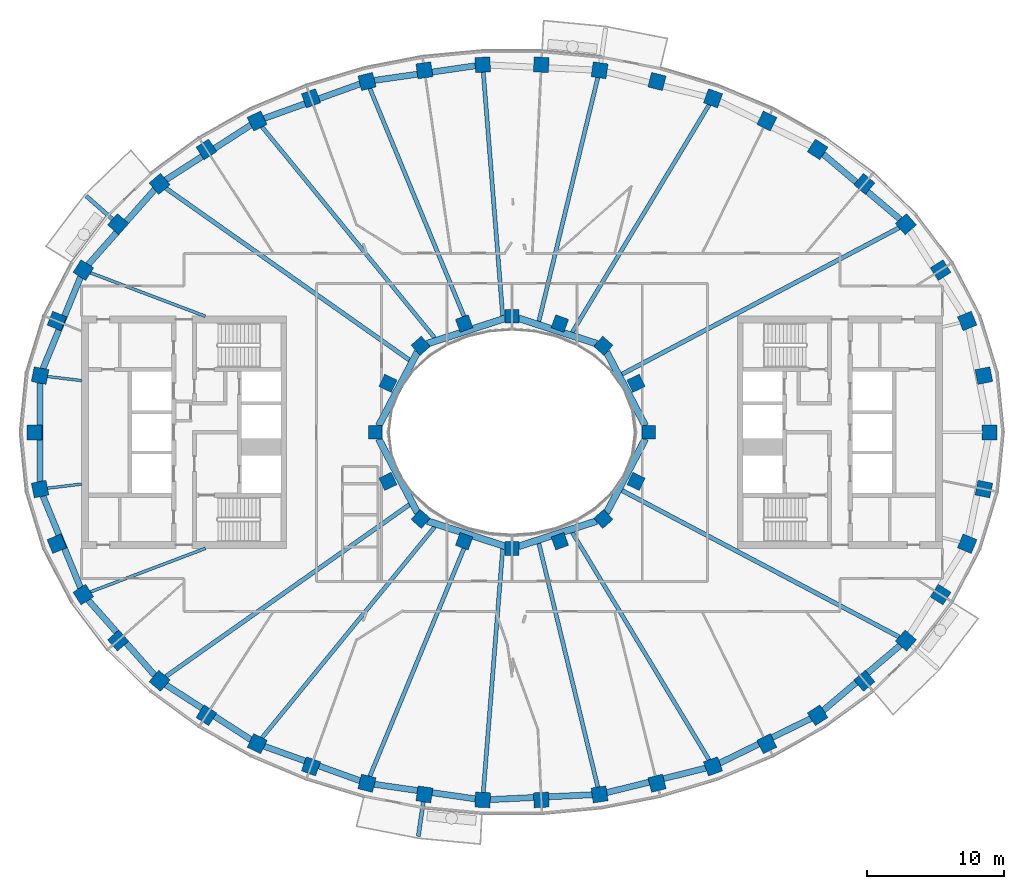
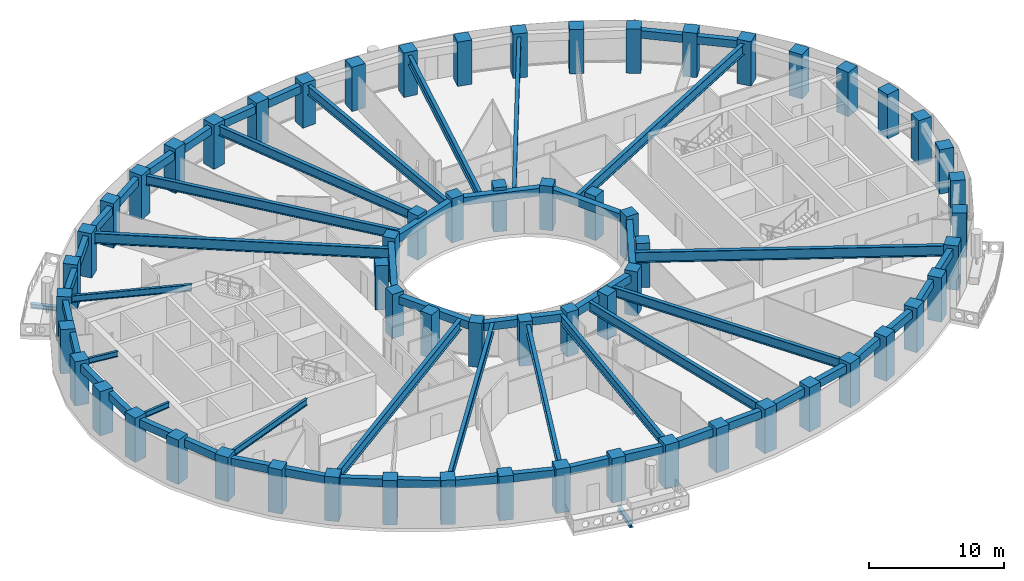
# One storey, part 1 of 16: 62 columns, 44 beams.
"""IFC4 building model written with IfcOpenShell, lengths in metres."""

from ifc_helpers import new_model, si_unit, direction, frame, origin, origin_2d, place, context, subcontext, project, spatial, rectangle, i_section, extrude, material, material_profile, profile_set, type_object, element, save


model = new_model("IFC4")

# Units and contexts
model_context = context("Model", 3, precision=1e-05, world=origin(), true_north=direction((0.0, 1.0)))
body_context = subcontext(model_context, "Body", "Model", "MODEL_VIEW")
ifc_project = project(units=[si_unit("LENGTHUNIT", "METRE"), si_unit("AREAUNIT", "SQUARE_METRE"), si_unit("VOLUMEUNIT", "CUBIC_METRE"), si_unit("PLANEANGLEUNIT", "RADIAN"), si_unit("MASSUNIT", "GRAM", prefix="KILO")], contexts=[model_context])

# Site, building, storey
site_placement = place(None, origin())
site = spatial("IfcSite", under=ifc_project, at=site_placement, CompositionType="ELEMENT")
building_placement = place(site_placement, origin())
building = spatial("IfcBuilding", under=site, at=building_placement, Name="Noorbagh Ring Tower", CompositionType="ELEMENT")
storey_placement = place(building_placement, frame((0.0, 0.0, 237.5)))
storey = spatial("IfcBuildingStorey", under=building, at=storey_placement, Name="L49", CompositionType="ELEMENT", Elevation=237.5)

# Columns
ifc_material_1 = material(Name="Concrete C60/75", Category="concrete")
ifc_material_profile_1 = material_profile(ifc_material_1, rectangle(XDim=1.10009765625, YDim=1.10009765625, at=origin_2d()), Name="RC1100x1100")
ifc_profile_set_1 = profile_set([ifc_material_profile_1], Name="Concrete C60/75")
column_type_1 = type_object("IfcColumnType", Name="STR-COL-RC1100x1100-C60-75", PredefinedType="COLUMN", material=ifc_profile_set_1)
for number, where, z_axis, x_axis, name in (
    (1, (34.944580078125, 0.0, 0.0), (0.0, 0.0, 1.0), (0.0, 1.0, 0.0), "L49/col/R1-01"),
    (2, (34.52685546875, 4.150634765625, 0.0), (0.0, 0.0, 1.0), (-0.19723040178, 0.9803571638, 0.0), "L49/col/R1-02"),
    (3, (33.30517578125, 8.1494140625, 0.0), (0.0, 0.0, 1.0), (-0.378989499959, 0.925400971969, 0.0), "L49/col/R1-03"),
    (4, (31.364990234375, 11.87109375, 0.0), (0.0, 0.0, 1.0), (-0.535190403059, 0.844731455833, 0.0), "L49/col/R1-04"),
    (5, (28.81884765625, 15.23046875, 0.0), (0.0, 0.0, 1.0), (-0.662635642662, 0.748941923699, 0.0), "L49/col/R1-05"),
    (6, (25.78271484375, 18.180419921875, 0.0), (0.0, 0.0, 1.0), (-0.763035199656, 0.646356932419, 0.0), "L49/col/R1-06"),
    (7, (22.362060546875, 20.699951171875, 0.0), (0.0, 0.0, 1.0), (-0.840247639643, 0.542202825586, 0.0), "L49/col/R1-07"),
    (8, (18.646240234375, 22.785400390625, 0.0), (0.0, 0.0, 1.0), (-0.898399080868, 0.439180021741, 0.0), "L49/col/R1-08"),
    (9, (14.70947265625, 24.44091796875, 0.0), (0.0, 0.0, 1.0), (-0.941024726094, 0.338337797003, 0.0), "L49/col/R1-09"),
    (10, (10.61328125, 25.673583984375, 0.0), (0.0, 0.0, 1.0), (-0.970829360981, 0.239771457553, 0.0), "L49/col/R1-10"),
    (11, (6.4091796875, 26.49072265625, 0.0), (0.0, 0.0, 1.0), (-0.989713114048, 0.143066249975, 0.0), "L49/col/R1-11"),
    (12, (2.14306640625, 26.89794921875, 0.0), (0.0, 0.0, 1.0), (-0.998868731212, 0.047552684538, 0.0), "L49/col/R1-12"),
    (13, (-2.14306640625, 26.89794921875, 0.0), (0.0, 0.0, 1.0), (-0.998868731212, -0.047552684538, 0.0), "L49/col/R1-13"),
    (14, (-6.4091796875, 26.49072265625, 0.0), (0.0, 0.0, 1.0), (-0.989713114048, -0.143066249975, 0.0), "L49/col/R1-14"),
    (15, (-10.61328125, 25.673583984375, 0.0), (0.0, 0.0, 1.0), (-0.970829360981, -0.239771457553, 0.0), "L49/col/R1-15"),
    (16, (-14.70947265625, 24.44091796875, 0.0), (0.0, 0.0, 1.0), (-0.941024726094, -0.338337797003, 0.0), "L49/col/R1-16"),
    (17, (-18.646240234375, 22.785400390625, 0.0), (0.0, 0.0, 1.0), (-0.898399080868, -0.439180021741, 0.0), "L49/col/R1-17"),
    (18, (-22.362060546875, 20.699951171875, 0.0), (0.0, 0.0, 1.0), (-0.840247639643, -0.542202825586, 0.0), "L49/col/R1-18"),
    (19, (-25.78271484375, 18.180419921875, 0.0), (0.0, 0.0, 1.0), (-0.763035199656, -0.646356932419, 0.0), "L49/col/R1-19"),
    (20, (-28.81884765625, 15.23046875, 0.0), (0.0, 0.0, 1.0), (-0.662635642662, -0.748941923699, 0.0), "L49/col/R1-20"),
    (21, (-31.364990234375, 11.87109375, 0.0), (0.0, 0.0, 1.0), (-0.535190403059, -0.844731455833, 0.0), "L49/col/R1-21"),
    (22, (-33.30517578125, 8.1494140625, 0.0), (0.0, 0.0, 1.0), (-0.378989499959, -0.925400971969, 0.0), "L49/col/R1-22"),
    (23, (-34.52685546875, 4.150634765625, 0.0), (0.0, 0.0, 1.0), (-0.19723040178, -0.9803571638, 0.0), "L49/col/R1-23"),
    (24, (-34.944580078125, 0.0, 0.0), (0.0, 0.0, 1.0), (0.0, -1.0, 0.0), "L49/col/R1-24"),
    (25, (-34.52685546875, -4.150634765625, 0.0), (0.0, 0.0, 1.0), (0.19723040178, -0.9803571638, 0.0), "L49/col/R1-25"),
    (26, (-33.30517578125, -8.1494140625, 0.0), (0.0, 0.0, 1.0), (0.378989499959, -0.925400971969, 0.0), "L49/col/R1-26"),
    (27, (-31.364990234375, -11.87109375, 0.0), (0.0, 0.0, 1.0), (0.535190403059, -0.844731455833, 0.0), "L49/col/R1-27"),
    (28, (-28.81884765625, -15.23046875, 0.0), (0.0, 0.0, 1.0), (0.662635642662, -0.748941923699, 0.0), "L49/col/R1-28"),
    (29, (-25.78271484375, -18.180419921875, 0.0), (0.0, 0.0, 1.0), (0.763035199656, -0.646356932419, 0.0), "L49/col/R1-29"),
    (30, (-22.362060546875, -20.699951171875, 0.0), (0.0, 0.0, 1.0), (0.840247639643, -0.542202825586, 0.0), "L49/col/R1-30"),
    (31, (-18.646240234375, -22.785400390625, 0.0), (0.0, 0.0, 1.0), (0.898399080868, -0.439180021741, 0.0), "L49/col/R1-31"),
    (32, (-14.70947265625, -24.44091796875, 0.0), (0.0, 0.0, 1.0), (0.941024726094, -0.338337797003, 0.0), "L49/col/R1-32"),
    (33, (-10.61328125, -25.673583984375, 0.0), (0.0, 0.0, 1.0), (0.970829360981, -0.239771457553, 0.0), "L49/col/R1-33"),
    (34, (-6.4091796875, -26.49072265625, 0.0), (0.0, 0.0, 1.0), (0.989713114048, -0.143066249975, 0.0), "L49/col/R1-34"),
    (35, (-2.14306640625, -26.89794921875, 0.0), (0.0, 0.0, 1.0), (0.998868731212, -0.047552684538, 0.0), "L49/col/R1-35"),
    (36, (2.14306640625, -26.89794921875, 0.0), (0.0, 0.0, 1.0), (0.998868731212, 0.047552684538, 0.0), "L49/col/R1-36"),
    (37, (6.4091796875, -26.49072265625, 0.0), (0.0, 0.0, 1.0), (0.989713114048, 0.143066249975, 0.0), "L49/col/R1-37"),
    (38, (10.61328125, -25.673583984375, 0.0), (0.0, 0.0, 1.0), (0.970829360981, 0.239771457553, 0.0), "L49/col/R1-38"),
    (39, (14.70947265625, -24.44091796875, 0.0), (0.0, 0.0, 1.0), (0.941024726094, 0.338337797003, 0.0), "L49/col/R1-39"),
    (40, (18.646240234375, -22.785400390625, 0.0), (0.0, 0.0, 1.0), (0.898399080868, 0.439180021741, 0.0), "L49/col/R1-40"),
    (41, (22.362060546875, -20.699951171875, 0.0), (0.0, 0.0, 1.0), (0.840247639643, 0.542202825586, 0.0), "L49/col/R1-41"),
    (42, (25.78271484375, -18.180419921875, 0.0), (0.0, 0.0, 1.0), (0.763035199656, 0.646356932419, 0.0), "L49/col/R1-42"),
    (43, (28.81884765625, -15.23046875, 0.0), (0.0, 0.0, 1.0), (0.662635642662, 0.748941923699, 0.0), "L49/col/R1-43"),
    (44, (31.364990234375, -11.87109375, 0.0), (0.0, 0.0, 1.0), (0.535190403059, 0.844731455833, 0.0), "L49/col/R1-44"),
    (45, (33.30517578125, -8.1494140625, 0.0), (0.0, 0.0, 1.0), (0.378989499959, 0.925400971969, 0.0), "L49/col/R1-45"),
    (46, (34.52685546875, -4.150634765625, 0.0), (0.0, 0.0, 1.0), (0.19723040178, 0.9803571638, 0.0), "L49/col/R1-46"),
):
    element("IfcColumn", number, at=place(storey_placement, frame(where, z_axis=z_axis, x_axis=x_axis)), inside=storey, type_object=column_type_1, Name=name, PredefinedType="COLUMN", context=body_context, shape_type="SweptSolid", body=[
        extrude(rectangle(XDim=1.10009765625, YDim=1.10009765625, at=origin_2d()), origin(), (0.0, 0.0, 1.0), 4.0),
    ])
ifc_material_2 = material(Name="Concrete C60/75", Category="concrete")
ifc_material_profile_2 = material_profile(ifc_material_2, rectangle(XDim=1.0, YDim=1.0, at=origin_2d()), Name="RC1000x1000")
ifc_profile_set_2 = profile_set([ifc_material_profile_2], Name="Concrete C60/75")
column_type_2 = type_object("IfcColumnType", Name="STR-ICOL-RC1000x1000-C60-75", PredefinedType="COLUMN", material=ifc_profile_set_2)
for number, where, z_axis, x_axis, name in (
    (47, (10.00830078125, 0.0, 0.0), (0.0, 0.0, 1.0), (0.0, 1.0, 0.0), "L49/col/IR2-W01"),
    (48, (9.07568359375, 3.58837890625, 0.0), (0.0, 0.0, 1.0), (-0.428666979171, 0.903462573087, 0.0), "L49/col/IR2-W03"),
    (49, (6.68212890625, 6.333740234375, 0.0), (0.0, 0.0, 1.0), (-0.75102249095, 0.660276622399, 0.0), "L49/col/IR2-W05"),
    (50, (3.5009765625, 7.967041015625, 0.0), (0.0, 0.0, 1.0), (-0.939019578916, 0.343863679984, 0.0), "L49/col/IR2-W07"),
    (51, (0.0, 8.5029296875, 0.0), (0.0, 0.0, 1.0), (-1.0, 0.0, 0.0), "L49/col/IR2-W09"),
    (52, (-3.5009765625, 7.967041015625, 0.0), (0.0, 0.0, 1.0), (-0.939019578916, -0.343863679984, 0.0), "L49/col/IR2-W11"),
    (53, (-6.68212890625, 6.333740234375, 0.0), (0.0, 0.0, 1.0), (-0.75102249095, -0.660276622399, 0.0), "L49/col/IR2-W13"),
    (54, (-9.07568359375, 3.58837890625, 0.0), (0.0, 0.0, 1.0), (-0.428666979171, -0.903462573087, 0.0), "L49/col/IR2-W15"),
    (55, (-10.00830078125, 0.0, 0.0), (0.0, 0.0, 1.0), (0.0, -1.0, 0.0), "L49/col/IR2-W17"),
    (56, (-9.07568359375, -3.58837890625, 0.0), (0.0, 0.0, 1.0), (0.428666979171, -0.903462573087, 0.0), "L49/col/IR2-W19"),
    (57, (-6.68212890625, -6.333740234375, 0.0), (0.0, 0.0, 1.0), (0.75102249095, -0.660276622399, 0.0), "L49/col/IR2-W21"),
    (58, (-3.5009765625, -7.967041015625, 0.0), (0.0, 0.0, 1.0), (0.939019578916, -0.343863679984, 0.0), "L49/col/IR2-W23"),
    (59, (0.0, -8.5029296875, 0.0), (0.0, 0.0, 1.0), (1.0, 0.0, 0.0), "L49/col/IR2-W25"),
    (60, (3.5009765625, -7.967041015625, 0.0), (0.0, 0.0, 1.0), (0.939019578916, 0.343863679984, 0.0), "L49/col/IR2-W27"),
    (61, (6.68212890625, -6.333740234375, 0.0), (0.0, 0.0, 1.0), (0.75102249095, 0.660276622399, 0.0), "L49/col/IR2-W29"),
    (62, (9.07568359375, -3.58837890625, 0.0), (0.0, 0.0, 1.0), (0.428666979171, 0.903462573087, 0.0), "L49/col/IR2-W31"),
):
    element("IfcColumn", number, at=place(storey_placement, frame(where, z_axis=z_axis, x_axis=x_axis)), inside=storey, type_object=column_type_2, Name=name, PredefinedType="COLUMN", context=body_context, shape_type="SweptSolid", body=[
        extrude(rectangle(XDim=1.0, YDim=1.0, at=origin_2d()), origin(), (0.0, 0.0, 1.0), 4.0),
    ])

# Beams
ifc_material_3 = material(Name="Steel S355", Category="steel")
ifc_material_profile_3 = material_profile(ifc_material_3, i_section(OverallWidth=0.300048828125, OverallDepth=0.39990234375, WebThickness=0.013427734375, FlangeThickness=0.02392578125, FilletRadius=0.027099609375, at=origin_2d()), Name="HEB400")
ifc_profile_set_3 = profile_set([ifc_material_profile_3], Name="Steel S355")
beam_type_1 = type_object("IfcBeamType", Name="STR-BALCONY-BRACKET-HEB400", PredefinedType="BEAM", material=ifc_profile_set_3)
beam_1_placement = place(storey_placement, frame((-29.2158203125, 15.58154296875, -0.5), z_axis=(-0.749036305026, 0.662528953144, 0.0), x_axis=(-0.662528953144, -0.749036305026, 0.0)))
element("IfcBeam", 63, at=beam_1_placement, inside=storey, type_object=beam_type_1, Name="Balcony bracket beam BN06", PredefinedType="BEAM", context=body_context, shape_type="SweptSolid", body=[
    extrude(i_section(OverallWidth=0.300048828125, OverallDepth=0.39990234375, WebThickness=0.013427734375, FlangeThickness=0.02392578125, FilletRadius=0.027099609375, at=origin_2d()), origin(), (0.0, 0.0, 1.0), 2.57958984375),
])
beam_2_placement = place(storey_placement, frame((-6.485107421875, -27.015380859375, -0.5), z_axis=(-0.143041289678, -0.989716721819, 0.0), x_axis=(0.989716721819, -0.143041289678, 0.0)))
element("IfcBeam", 64, at=beam_2_placement, inside=storey, type_object=beam_type_1, Name="Balcony bracket beam BS03", PredefinedType="BEAM", context=body_context, shape_type="SweptSolid", body=[
    extrude(i_section(OverallWidth=0.300048828125, OverallDepth=0.39990234375, WebThickness=0.013427734375, FlangeThickness=0.02392578125, FilletRadius=0.027099609375, at=origin_2d()), origin(), (0.0, 0.0, 1.0), 2.57373046875),
])
ifc_material_4 = material(Name="Steel S355", Category="steel")
ifc_material_profile_4 = material_profile(ifc_material_4, i_section(OverallWidth=0.199951171875, OverallDepth=0.5, WebThickness=0.01025390625, FlangeThickness=0.01611328125, FilletRadius=0.02099609375, at=origin_2d()), Name="IPE500")
ifc_profile_set_4 = profile_set([ifc_material_profile_4], Name="Steel S355")
beam_type_2 = type_object("IfcBeamType", Name="STR-RAD-IPE500", PredefinedType="BEAM", material=ifc_profile_set_4)
for number, where, z_axis, x_axis, name in (
    (65, (-33.998779296875, 4.087158203125, 3.449951171875), (0.992853137385, -0.119342564013, 0.0), (0.119342564013, 0.992853137385, 0.0), "L49/bm/RD23"),
    (66, (-33.998779296875, -4.087158203125, 3.449951171875), (0.992853137385, 0.119342564013, 0.0), (-0.119342564013, 0.992853137385, 0.0), "L49/bm/RD25"),
):
    element("IfcBeam", number, at=place(storey_placement, frame(where, z_axis=z_axis, x_axis=x_axis)), inside=storey, type_object=beam_type_2, Name=name, PredefinedType="BEAM", context=body_context, shape_type="SweptSolid", body=[
        extrude(i_section(OverallWidth=0.199951171875, OverallDepth=0.5, WebThickness=0.01025390625, FlangeThickness=0.01611328125, FilletRadius=0.02099609375, at=origin_2d()), origin(), (0.0, 0.0, 1.0), 2.53662109375),
    ])
ifc_material_5 = material(Name="Steel S355", Category="steel")
ifc_material_profile_5 = material_profile(ifc_material_5, i_section(OverallWidth=0.219970703125, OverallDepth=0.60009765625, WebThickness=0.011962890625, FlangeThickness=0.01904296875, FilletRadius=0.02392578125, at=origin_2d()), Name="IPE600")
ifc_profile_set_5 = profile_set([ifc_material_profile_5], Name="Steel S355")
beam_type_3 = type_object("IfcBeamType", Name="STR-RAD-IPE600", PredefinedType="BEAM", material=ifc_profile_set_5)
for number, where, z_axis, x_axis, name in (
    (67, (-30.858642578125, 11.67919921875, 3.39990234375), (0.935259323835, -0.353963270948, 0.0), (0.353963270948, 0.935259323835, 0.0), "L49/bm/RD21"),
    (68, (-30.858642578125, -11.67919921875, 3.39990234375), (0.935259323835, 0.353963270948, 0.0), (-0.353963270948, 0.935259323835, 0.0), "L49/bm/RD27"),
):
    element("IfcBeam", number, at=place(storey_placement, frame(where, z_axis=z_axis, x_axis=x_axis)), inside=storey, type_object=beam_type_3, Name=name, PredefinedType="BEAM", context=body_context, shape_type="SweptSolid", body=[
        extrude(i_section(OverallWidth=0.219970703125, OverallDepth=0.60009765625, WebThickness=0.011962890625, FlangeThickness=0.01904296875, FilletRadius=0.02392578125, at=origin_2d()), origin(), (0.0, 0.0, 1.0), 9.001708984375),
    ])
ifc_material_6 = material(Name="Steel S355", Category="steel")
ifc_material_profile_6 = material_profile(ifc_material_6, i_section(OverallWidth=0.300048828125, OverallDepth=0.85009765625, WebThickness=0.013916015625, FlangeThickness=0.028076171875, at=origin_2d()), Name="PG850x300x14x28")
ifc_profile_set_6 = profile_set([ifc_material_profile_6], Name="Steel S355")
beam_type_4 = type_object("IfcBeamType", Name="STR-RAD-PG850x300x14x28", PredefinedType="BEAM", material=ifc_profile_set_6)
beam_3_placement = place(storey_placement, frame((14.4306640625, 23.9775390625, 3.27490234375), z_axis=(-0.515652889643, -0.856797582514, 0.0), x_axis=(0.856797582514, -0.515652889643, 0.0)))
element("IfcBeam", 69, at=beam_3_placement, inside=storey, type_object=beam_type_4, Name="L49/bm/RD09", PredefinedType="BEAM", context=body_context, shape_type="SweptSolid", body=[
    extrude(i_section(OverallWidth=0.300048828125, OverallDepth=0.85009765625, WebThickness=0.013916015625, FlangeThickness=0.028076171875, at=origin_2d()), origin(), (0.0, 0.0, 1.0), 19.4462890625),
])
beam_4_placement = place(storey_placement, frame((6.283935546875, 25.973388671875, 3.27490234375), z_axis=(-0.235149899609, -0.971959116791, 0.0), x_axis=(0.971959116791, -0.235149899609, 0.0)))
element("IfcBeam", 70, at=beam_4_placement, inside=storey, type_object=beam_type_4, Name="L49/bm/RD11", PredefinedType="BEAM", context=body_context, shape_type="SweptSolid", body=[
    extrude(i_section(OverallWidth=0.300048828125, OverallDepth=0.85009765625, WebThickness=0.013916015625, FlangeThickness=0.028076171875, at=origin_2d()), origin(), (0.0, 0.0, 1.0), 18.380859375),
])
beam_5_placement = place(storey_placement, frame((-2.10107421875, 26.369384765625, 3.27490234375), z_axis=(0.079428656786, -0.996840553189, 0.0), x_axis=(0.996840553189, 0.079428656786, 0.0)))
element("IfcBeam", 71, at=beam_5_placement, inside=storey, type_object=beam_type_4, Name="L49/bm/RD13", PredefinedType="BEAM", context=body_context, shape_type="SweptSolid", body=[
    extrude(i_section(OverallWidth=0.300048828125, OverallDepth=0.85009765625, WebThickness=0.013916015625, FlangeThickness=0.028076171875, at=origin_2d()), origin(), (0.0, 0.0, 1.0), 17.9013671875),
])
beam_6_placement = place(storey_placement, frame((-10.408447265625, 25.177978515625, 3.27490234375), z_axis=(0.382042222752, -0.924144869614, 0.0), x_axis=(0.924144869614, 0.382042222752, 0.0)))
element("IfcBeam", 72, at=beam_6_placement, inside=storey, type_object=beam_type_4, Name="L49/bm/RD15", PredefinedType="BEAM", context=body_context, shape_type="SweptSolid", body=[
    extrude(i_section(OverallWidth=0.300048828125, OverallDepth=0.85009765625, WebThickness=0.013916015625, FlangeThickness=0.028076171875, at=origin_2d()), origin(), (0.0, 0.0, 1.0), 18.901611328125),
])
for number, where, z_axis, x_axis, name in (
    (73, (-18.301025390625, 22.363525390625, 3.27490234375), (0.633313689008, -0.773895194012, 0.0), (0.773895194012, 0.633313689008, 0.0), "L49/bm/RD17"),
    (74, (-18.301025390625, -22.363525390625, 3.27490234375), (0.633313689008, 0.773895194012, 0.0), (-0.773895194012, 0.633313689008, 0.0), "L49/bm/RD31"),
):
    element("IfcBeam", number, at=place(storey_placement, frame(where, z_axis=z_axis, x_axis=x_axis)), inside=storey, type_object=beam_type_4, Name=name, PredefinedType="BEAM", context=body_context, shape_type="SweptSolid", body=[
        extrude(i_section(OverallWidth=0.300048828125, OverallDepth=0.85009765625, WebThickness=0.013916015625, FlangeThickness=0.028076171875, at=origin_2d()), origin(), (0.0, 0.0, 1.0), 19.968017578125),
    ])
beam_7_placement = place(storey_placement, frame((-10.408447265625, -25.177978515625, 3.27490234375), z_axis=(0.382042222752, 0.924144869614, 0.0), x_axis=(-0.924144869614, 0.382042222752, 0.0)))
element("IfcBeam", 75, at=beam_7_placement, inside=storey, type_object=beam_type_4, Name="L49/bm/RD33", PredefinedType="BEAM", context=body_context, shape_type="SweptSolid", body=[
    extrude(i_section(OverallWidth=0.300048828125, OverallDepth=0.85009765625, WebThickness=0.013916015625, FlangeThickness=0.028076171875, at=origin_2d()), origin(), (0.0, 0.0, 1.0), 18.901611328125),
])
beam_8_placement = place(storey_placement, frame((-2.10107421875, -26.369384765625, 3.27490234375), z_axis=(0.079428656786, 0.996840553189, 0.0), x_axis=(-0.996840553189, 0.079428656786, 0.0)))
element("IfcBeam", 76, at=beam_8_placement, inside=storey, type_object=beam_type_4, Name="L49/bm/RD35", PredefinedType="BEAM", context=body_context, shape_type="SweptSolid", body=[
    extrude(i_section(OverallWidth=0.300048828125, OverallDepth=0.85009765625, WebThickness=0.013916015625, FlangeThickness=0.028076171875, at=origin_2d()), origin(), (0.0, 0.0, 1.0), 17.9013671875),
])
beam_9_placement = place(storey_placement, frame((6.283935546875, -25.973388671875, 3.27490234375), z_axis=(-0.235149899609, 0.971959116791, 0.0), x_axis=(-0.971959116791, -0.235149899609, 0.0)))
element("IfcBeam", 77, at=beam_9_placement, inside=storey, type_object=beam_type_4, Name="L49/bm/RD37", PredefinedType="BEAM", context=body_context, shape_type="SweptSolid", body=[
    extrude(i_section(OverallWidth=0.300048828125, OverallDepth=0.85009765625, WebThickness=0.013916015625, FlangeThickness=0.028076171875, at=origin_2d()), origin(), (0.0, 0.0, 1.0), 18.380859375),
])
beam_10_placement = place(storey_placement, frame((14.4306640625, -23.9775390625, 3.27490234375), z_axis=(-0.515652889643, 0.856797582514, 0.0), x_axis=(-0.856797582514, -0.515652889643, 0.0)))
element("IfcBeam", 78, at=beam_10_placement, inside=storey, type_object=beam_type_4, Name="L49/bm/RD39", PredefinedType="BEAM", context=body_context, shape_type="SweptSolid", body=[
    extrude(i_section(OverallWidth=0.300048828125, OverallDepth=0.85009765625, WebThickness=0.013916015625, FlangeThickness=0.028076171875, at=origin_2d()), origin(), (0.0, 0.0, 1.0), 19.4462890625),
])
ifc_material_7 = material(Name="Steel S355", Category="steel")
ifc_material_profile_7 = material_profile(ifc_material_7, i_section(OverallWidth=0.320068359375, OverallDepth=0.949951171875, WebThickness=0.01611328125, FlangeThickness=0.030029296875, at=origin_2d()), Name="PG950x320x16x30")
ifc_profile_set_7 = profile_set([ifc_material_profile_7], Name="Steel S355")
beam_type_5 = type_object("IfcBeamType", Name="STR-RAD-PG950x320x16x30", PredefinedType="BEAM", material=ifc_profile_set_7)
beam_11_placement = place(storey_placement, frame((28.336181640625, 14.975341796875, 3.22509765625), z_axis=(-0.884128075717, -0.467244631567, 0.0), x_axis=(0.467244631567, -0.884128075717, 0.0)))
element("IfcBeam", 79, at=beam_11_placement, inside=storey, type_object=beam_type_5, Name="L49/bm/RD05", PredefinedType="BEAM", context=body_context, shape_type="SweptSolid", body=[
    extrude(i_section(OverallWidth=0.320068359375, OverallDepth=0.949951171875, WebThickness=0.01611328125, FlangeThickness=0.030029296875, at=origin_2d()), origin(), (0.0, 0.0, 1.0), 22.959228515625),
])
for number, where, z_axis, x_axis, name in (
    (80, (-25.334716796875, 17.864501953125, 3.22509765625), (0.81725475763, -0.576276549176, 0.0), (0.576276549176, 0.81725475763, 0.0), "L49/bm/RD19"),
    (81, (-25.334716796875, -17.864501953125, 3.22509765625), (0.81725475763, 0.576276549176, 0.0), (-0.576276549176, 0.81725475763, 0.0), "L49/bm/RD29"),
):
    element("IfcBeam", number, at=place(storey_placement, frame(where, z_axis=z_axis, x_axis=x_axis)), inside=storey, type_object=beam_type_5, Name=name, PredefinedType="BEAM", context=body_context, shape_type="SweptSolid", body=[
        extrude(i_section(OverallWidth=0.320068359375, OverallDepth=0.949951171875, WebThickness=0.01611328125, FlangeThickness=0.030029296875, at=origin_2d()), origin(), (0.0, 0.0, 1.0), 21.830810546875),
    ])
beam_12_placement = place(storey_placement, frame((28.336181640625, -14.975341796875, 3.22509765625), z_axis=(-0.884128075717, 0.467244631567, 0.0), x_axis=(-0.467244631567, -0.884128075717, 0.0)))
element("IfcBeam", 82, at=beam_12_placement, inside=storey, type_object=beam_type_5, Name="L49/bm/RD43", PredefinedType="BEAM", context=body_context, shape_type="SweptSolid", body=[
    extrude(i_section(OverallWidth=0.320068359375, OverallDepth=0.949951171875, WebThickness=0.01611328125, FlangeThickness=0.030029296875, at=origin_2d()), origin(), (0.0, 0.0, 1.0), 22.959228515625),
])
ifc_material_8 = material(Name="Concrete C40/50", Category="concrete")
ifc_material_profile_8 = material_profile(ifc_material_8, rectangle(XDim=0.5, YDim=0.699951171875, at=origin_2d()), Name="RC500x700")
ifc_profile_set_8 = profile_set([ifc_material_profile_8], Name="Concrete C40/50")
beam_type_6 = type_object("IfcBeamType", Name="STR-RB-RC500x700-C40-50", PredefinedType="BEAM", material=ifc_profile_set_8)
beam_13_placement = place(storey_placement, frame((9.755126953125, 0.482177734375, 3.35009765625), z_axis=(-0.464928900722, 0.885348020427, 0.0), x_axis=(-0.885348020427, -0.464928900722, 0.0)))
element("IfcBeam", 83, at=beam_13_placement, inside=storey, type_object=beam_type_6, Name="L49/bm/RG01", PredefinedType="BEAM", context=body_context, shape_type="SweptSolid", body=[
    extrude(rectangle(XDim=0.5, YDim=0.699951171875, at=origin_2d()), origin(), (0.0, 0.0, 1.0), 6.093994140625),
])
for number, where, z_axis, x_axis, name in (
    (84, (6.183349609375, 6.495849609375, 3.35009765625), (-0.951154000484, 0.30871680771, 0.0), (-0.30871680771, -0.951154000484, 0.0), "L49/bm/RG03"),
    (85, (-0.48095703125, 8.3466796875, 3.35009765625), (-0.951154000484, -0.30871680771, 0.0), (0.30871680771, -0.951154000484, 0.0), "L49/bm/RG05"),
):
    element("IfcBeam", number, at=place(storey_placement, frame(where, z_axis=z_axis, x_axis=x_axis)), inside=storey, type_object=beam_type_6, Name=name, PredefinedType="BEAM", context=body_context, shape_type="SweptSolid", body=[
        extrude(rectangle(XDim=0.5, YDim=0.699951171875, at=origin_2d()), origin(), (0.0, 0.0, 1.0), 5.9951171875),
    ])
for number, where, z_axis, x_axis, name in (
    (86, (-6.921875, 5.87744140625, 3.35009765625), (-0.464928900722, -0.885348020427, 0.0), (0.885348020427, -0.464928900722, 0.0), "L49/bm/RG07"),
    (87, (-9.755126953125, -0.482177734375, 3.35009765625), (0.464928900722, -0.885348020427, 0.0), (0.885348020427, 0.464928900722, 0.0), "L49/bm/RG09"),
):
    element("IfcBeam", number, at=place(storey_placement, frame(where, z_axis=z_axis, x_axis=x_axis)), inside=storey, type_object=beam_type_6, Name=name, PredefinedType="BEAM", context=body_context, shape_type="SweptSolid", body=[
        extrude(rectangle(XDim=0.5, YDim=0.699951171875, at=origin_2d()), origin(), (0.0, 0.0, 1.0), 6.093994140625),
    ])
for number, where, z_axis, x_axis, name in (
    (88, (-6.183349609375, -6.495849609375, 3.35009765625), (0.951154000484, -0.30871680771, 0.0), (0.30871680771, 0.951154000484, 0.0), "L49/bm/RG11"),
    (89, (0.48095703125, -8.3466796875, 3.35009765625), (0.951154000484, 0.30871680771, 0.0), (-0.30871680771, 0.951154000484, 0.0), "L49/bm/RG13"),
):
    element("IfcBeam", number, at=place(storey_placement, frame(where, z_axis=z_axis, x_axis=x_axis)), inside=storey, type_object=beam_type_6, Name=name, PredefinedType="BEAM", context=body_context, shape_type="SweptSolid", body=[
        extrude(rectangle(XDim=0.5, YDim=0.699951171875, at=origin_2d()), origin(), (0.0, 0.0, 1.0), 5.9951171875),
    ])
beam_14_placement = place(storey_placement, frame((6.921875, -5.87744140625, 3.35009765625), z_axis=(0.464928900722, 0.885348020427, 0.0), x_axis=(-0.885348020427, 0.464928900722, 0.0)))
element("IfcBeam", 90, at=beam_14_placement, inside=storey, type_object=beam_type_6, Name="L49/bm/RG15", PredefinedType="BEAM", context=body_context, shape_type="SweptSolid", body=[
    extrude(rectangle(XDim=0.5, YDim=0.699951171875, at=origin_2d()), origin(), (0.0, 0.0, 1.0), 6.093994140625),
])
ifc_material_9 = material(Name="Concrete C40/50", Category="concrete")
ifc_material_profile_9 = material_profile(ifc_material_9, rectangle(XDim=0.449951171875, YDim=0.699951171875, at=origin_2d()), Name="RC450x700")
ifc_profile_set_9 = profile_set([ifc_material_profile_9], Name="Concrete C40/50")
beam_type_7 = type_object("IfcBeamType", Name="STR-SB-RC450x700-C40-50", PredefinedType="BEAM", material=ifc_profile_set_9)
beam_15_placement = place(storey_placement, frame((28.41015625, 15.57666015625, 3.35009765625), z_axis=(-0.763041647575, 0.646349320465, 0.0), x_axis=(-0.646349320465, -0.763041647575, 0.0)))
element("IfcBeam", 91, at=beam_15_placement, inside=storey, type_object=beam_type_7, Name="L49/bm/SP05", PredefinedType="BEAM", context=body_context, shape_type="SweptSolid", body=[
    extrude(rectangle(XDim=0.449951171875, YDim=0.699951171875, at=origin_2d()), origin(), (0.0, 0.0, 1.0), 7.3916015625),
])
beam_16_placement = place(storey_placement, frame((-2.670166015625, 26.82177734375, 3.35009765625), z_axis=(-0.989712214626, -0.143072471915, 0.0), x_axis=(0.143072471915, -0.989712214626, 0.0)))
element("IfcBeam", 92, at=beam_16_placement, inside=storey, type_object=beam_type_7, Name="L49/bm/SP13", PredefinedType="BEAM", context=body_context, shape_type="SweptSolid", body=[
    extrude(rectangle(XDim=0.449951171875, YDim=0.699951171875, at=origin_2d()), origin(), (0.0, 0.0, 1.0), 7.492919921875),
])
beam_17_placement = place(storey_placement, frame((-11.11474609375, 25.493408203125, 3.35009765625), z_axis=(-0.941021072028, -0.338347959947, 0.0), x_axis=(0.338347959947, -0.941021072028, 0.0)))
element("IfcBeam", 93, at=beam_17_placement, inside=storey, type_object=beam_type_7, Name="L49/bm/SP15", PredefinedType="BEAM", context=body_context, shape_type="SweptSolid", body=[
    extrude(rectangle(XDim=0.449951171875, YDim=0.699951171875, at=origin_2d()), origin(), (0.0, 0.0, 1.0), 7.470458984375),
])
beam_18_placement = place(storey_placement, frame((-19.094970703125, 22.495849609375, 3.35009765625), z_axis=(-0.840248806946, -0.542201016622, 0.0), x_axis=(0.542201016622, -0.840248806946, 0.0)))
element("IfcBeam", 94, at=beam_18_placement, inside=storey, type_object=beam_type_7, Name="L49/bm/SP17", PredefinedType="BEAM", context=body_context, shape_type="SweptSolid", body=[
    extrude(rectangle(XDim=0.449951171875, YDim=0.699951171875, at=origin_2d()), origin(), (0.0, 0.0, 1.0), 7.424560546875),
])
beam_19_placement = place(storey_placement, frame((-26.1376953125, 17.779052734375, 3.35009765625), z_axis=(-0.662632637862, -0.748944582222, 0.0), x_axis=(0.748944582222, -0.662632637862, 0.0)))
element("IfcBeam", 95, at=beam_19_placement, inside=storey, type_object=beam_type_7, Name="L49/bm/SP19", PredefinedType="BEAM", context=body_context, shape_type="SweptSolid", body=[
    extrude(rectangle(XDim=0.449951171875, YDim=0.699951171875, at=origin_2d()), origin(), (0.0, 0.0, 1.0), 7.3515625),
])
beam_20_placement = place(storey_placement, frame((-31.569091796875, 11.37255859375, 3.35009765625), z_axis=(-0.378980930271, -0.92540448156, 0.0), x_axis=(0.92540448156, -0.378980930271, 0.0)))
element("IfcBeam", 96, at=beam_20_placement, inside=storey, type_object=beam_type_7, Name="L49/bm/SP21", PredefinedType="BEAM", context=body_context, shape_type="SweptSolid", body=[
    extrude(rectangle(XDim=0.449951171875, YDim=0.699951171875, at=origin_2d()), origin(), (0.0, 0.0, 1.0), 7.263916015625),
])
beam_21_placement = place(storey_placement, frame((-34.52685546875, 3.609619140625, 3.35009765625), z_axis=(0.0, -1.0, 0.0), x_axis=(1.0, 0.0, 0.0)))
element("IfcBeam", 97, at=beam_21_placement, inside=storey, type_object=beam_type_7, Name="L49/bm/SP23", PredefinedType="BEAM", context=body_context, shape_type="SweptSolid", body=[
    extrude(rectangle(XDim=0.449951171875, YDim=0.699951171875, at=origin_2d()), origin(), (0.0, 0.0, 1.0), 7.21923828125),
])
beam_22_placement = place(storey_placement, frame((-34.322021484375, -4.650390625, 3.35009765625), z_axis=(0.378980930271, -0.92540448156, 0.0), x_axis=(0.92540448156, 0.378980930271, 0.0)))
element("IfcBeam", 98, at=beam_22_placement, inside=storey, type_object=beam_type_7, Name="L49/bm/SP25", PredefinedType="BEAM", context=body_context, shape_type="SweptSolid", body=[
    extrude(rectangle(XDim=0.449951171875, YDim=0.699951171875, at=origin_2d()), origin(), (0.0, 0.0, 1.0), 7.263916015625),
])
beam_23_placement = place(storey_placement, frame((-31.009033203125, -12.273193359375, 3.35009765625), z_axis=(0.662632637862, -0.748944582222, 0.0), x_axis=(0.748944582222, 0.662632637862, 0.0)))
element("IfcBeam", 99, at=beam_23_placement, inside=storey, type_object=beam_type_7, Name="L49/bm/SP27", PredefinedType="BEAM", context=body_context, shape_type="SweptSolid", body=[
    extrude(rectangle(XDim=0.449951171875, YDim=0.699951171875, at=origin_2d()), origin(), (0.0, 0.0, 1.0), 7.3515625),
])
beam_24_placement = place(storey_placement, frame((-25.33349609375, -18.47021484375, 3.35009765625), z_axis=(0.840248806946, -0.542201016622, 0.0), x_axis=(0.542201016622, 0.840248806946, 0.0)))
element("IfcBeam", 100, at=beam_24_placement, inside=storey, type_object=beam_type_7, Name="L49/bm/SP29", PredefinedType="BEAM", context=body_context, shape_type="SweptSolid", body=[
    extrude(rectangle(XDim=0.449951171875, YDim=0.699951171875, at=origin_2d()), origin(), (0.0, 0.0, 1.0), 7.424560546875),
])
beam_25_placement = place(storey_placement, frame((-18.14453125, -22.9658203125, 3.35009765625), z_axis=(0.941021072028, -0.338347959947, 0.0), x_axis=(0.338347959947, 0.941021072028, 0.0)))
element("IfcBeam", 101, at=beam_25_placement, inside=storey, type_object=beam_type_7, Name="L49/bm/SP31", PredefinedType="BEAM", context=body_context, shape_type="SweptSolid", body=[
    extrude(rectangle(XDim=0.449951171875, YDim=0.699951171875, at=origin_2d()), origin(), (0.0, 0.0, 1.0), 7.470458984375),
])
beam_26_placement = place(storey_placement, frame((-10.0859375, -25.749755859375, 3.35009765625), z_axis=(0.989712214626, -0.143072471915, 0.0), x_axis=(0.143072471915, 0.989712214626, 0.0)))
element("IfcBeam", 102, at=beam_26_placement, inside=storey, type_object=beam_type_7, Name="L49/bm/SP33", PredefinedType="BEAM", context=body_context, shape_type="SweptSolid", body=[
    extrude(rectangle(XDim=0.449951171875, YDim=0.699951171875, at=origin_2d()), origin(), (0.0, 0.0, 1.0), 7.492919921875),
])
beam_27_placement = place(storey_placement, frame((-1.611328125, -26.87255859375, 3.35009765625), z_axis=(0.998869095319, 0.047545035672, 0.0), x_axis=(-0.047545035672, 0.998869095319, 0.0)))
element("IfcBeam", 103, at=beam_27_placement, inside=storey, type_object=beam_type_7, Name="L49/bm/SP35", PredefinedType="BEAM", context=body_context, shape_type="SweptSolid", body=[
    extrude(rectangle(XDim=0.449951171875, YDim=0.699951171875, at=origin_2d()), origin(), (0.0, 0.0, 1.0), 7.4970703125),
])
beam_28_placement = place(storey_placement, frame((6.926513671875, -26.363037109375, 3.35009765625), z_axis=(0.970829382675, 0.239771369713, 0.0), x_axis=(-0.239771369713, 0.970829382675, 0.0)))
element("IfcBeam", 104, at=beam_28_placement, inside=storey, type_object=beam_type_7, Name="L49/bm/SP37", PredefinedType="BEAM", context=body_context, shape_type="SweptSolid", body=[
    extrude(rectangle(XDim=0.449951171875, YDim=0.699951171875, at=origin_2d()), origin(), (0.0, 0.0, 1.0), 7.48388671875),
])
beam_29_placement = place(storey_placement, frame((15.188720703125, -24.20654296875, 3.35009765625), z_axis=(0.898395566206, 0.43918721136, 0.0), x_axis=(-0.43918721136, 0.898395566206, 0.0)))
element("IfcBeam", 105, at=beam_29_placement, inside=storey, type_object=beam_type_7, Name="L49/bm/SP39", PredefinedType="BEAM", context=body_context, shape_type="SweptSolid", body=[
    extrude(rectangle(XDim=0.449951171875, YDim=0.699951171875, at=origin_2d()), origin(), (0.0, 0.0, 1.0), 7.45068359375),
])
beam_30_placement = place(storey_placement, frame((22.77001953125, -20.354248046875, 3.35009765625), z_axis=(0.763041647575, 0.646349320465, 0.0), x_axis=(-0.646349320465, 0.763041647575, 0.0)))
element("IfcBeam", 106, at=beam_30_placement, inside=storey, type_object=beam_type_7, Name="L49/bm/SP41", PredefinedType="BEAM", context=body_context, shape_type="SweptSolid", body=[
    extrude(rectangle(XDim=0.449951171875, YDim=0.699951171875, at=origin_2d()), origin(), (0.0, 0.0, 1.0), 7.3916015625),
])

save(model, "model.ifc")
